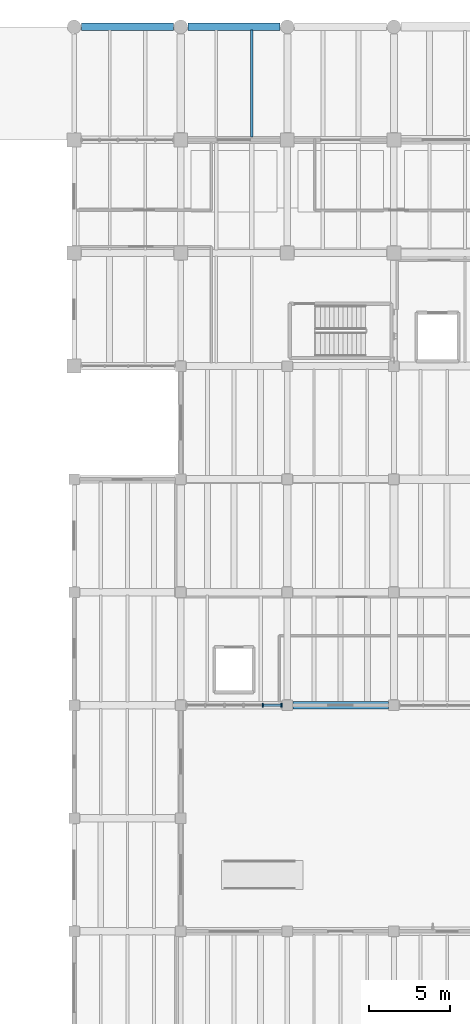
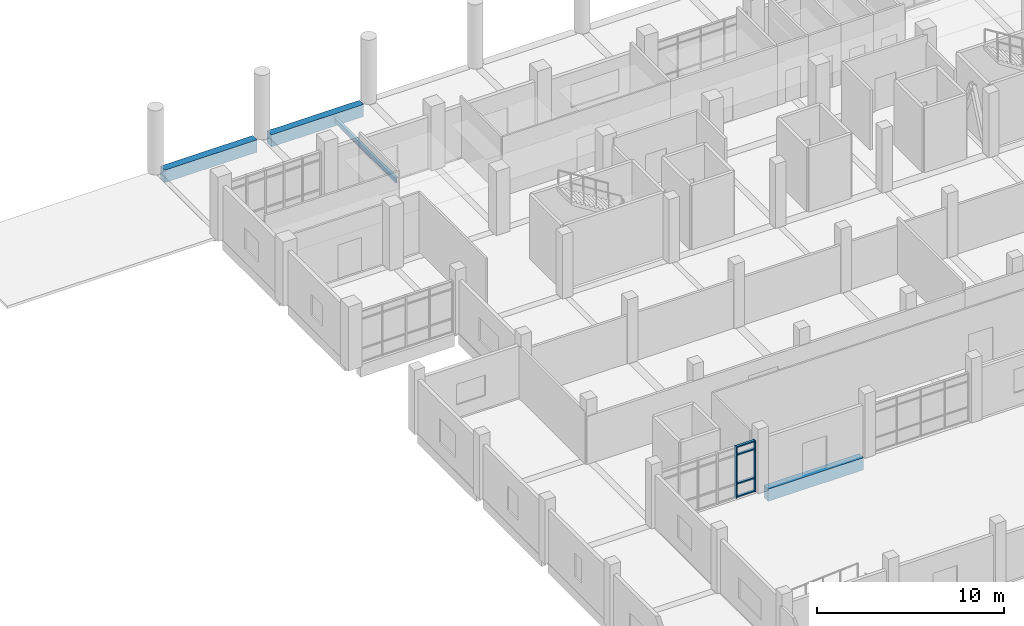
# One storey, part 23 of 69: 6 members, 4 beams, 1 element without a shape of its own.
"""IFC4 building model written with IfcOpenShell, lengths in metres."""

from ifc_helpers import new_model, si_unit, direction, frame, origin, origin_2d, place, context, subcontext, project, spatial, rectangle, i_section, extrude, material, material_profile, profile_set, type_object, element, aggregate, save


model = new_model("IFC4")

# Units and contexts
model_context = context("Model", 3, precision=1e-05, world=origin(), true_north=direction((0.0, 1.0)))
body_context = subcontext(model_context, "Body", "Model", "MODEL_VIEW")
ifc_project = project(units=[si_unit("LENGTHUNIT", "METRE"), si_unit("AREAUNIT", "SQUARE_METRE"), si_unit("VOLUMEUNIT", "CUBIC_METRE"), si_unit("PLANEANGLEUNIT", "RADIAN"), si_unit("MASSUNIT", "GRAM", prefix="KILO")], contexts=[model_context])

# Site, building, storey
site_placement = place(None, origin())
site = spatial("IfcSite", under=ifc_project, at=site_placement, CompositionType="ELEMENT")
building_placement = place(site_placement, origin())
building = spatial("IfcBuilding", under=site, at=building_placement, Name="Ciguamira Faculty of Natural Sciences", CompositionType="ELEMENT")
storey_placement = place(building_placement, origin())
storey = spatial("IfcBuildingStorey", under=building, at=storey_placement, Name="L00", CompositionType="ELEMENT", Elevation=0.0)

# Curtain wall, members
ifc_material_1 = material(Name="Anodized aluminium curtain wall", Category="aluminium")
curtain_wall_type = type_object("IfcCurtainWallType", Name="CurtainWall_CW-12", PredefinedType="USERDEFINED", material=ifc_material_1)
curtain_wall_placement = place(storey_placement, origin())
curtain_wall = element("IfcCurtainWall", 1, at=curtain_wall_placement, inside=storey, type_object=curtain_wall_type, Name="L00 unitised curtain wall 0012", ObjectType="UNITISED CURTAIN WALL", PredefinedType="USERDEFINED")
ifc_material_2 = material(Name="Anodized aluminium mullion", Category="aluminium")
ifc_material_profile_1 = material_profile(ifc_material_2, rectangle(XDim=0.080078125, YDim=0.219970703125, at=origin_2d()), Name="ALU-MUL-80X220")
ifc_profile_set_1 = profile_set([ifc_material_profile_1], Name="Anodized aluminium mullion")
member_type_1 = type_object("IfcMemberType", Name="CWMullion_CWM-03", PredefinedType="MULLION", material=ifc_profile_set_1)
member_1_placement = place(storey_placement, frame((68.985107421875, 73.0, 0.0), z_axis=(0.0, 0.0, 1.0), x_axis=(1.0, 0.0, 0.0)))
member_1 = element("IfcMember", 2, at=member_1_placement, type_object=member_type_1, Name="CW-12 mullion 5", PredefinedType="MULLION", context=body_context, shape_type="SweptSolid", body=[
    extrude(rectangle(XDim=0.080078125, YDim=0.219970703125, at=origin_2d()), origin(), (0.0, 0.0, 1.0), 3.344970703125),
])
member_2_placement = place(storey_placement, frame((70.135009765625, 73.0, 0.0), z_axis=(0.0, 0.0, 1.0), x_axis=(1.0, 0.0, 0.0)))
member_2 = element("IfcMember", 3, at=member_2_placement, type_object=member_type_1, Name="CW-12 mullion 6", PredefinedType="MULLION", context=body_context, shape_type="SweptSolid", body=[
    extrude(rectangle(XDim=0.080078125, YDim=0.219970703125, at=origin_2d()), origin(), (0.0, 0.0, 1.0), 3.344970703125),
])
ifc_material_3 = material(Name="Anodized aluminium transom", Category="aluminium")
ifc_material_profile_2 = material_profile(ifc_material_3, rectangle(XDim=0.080078125, YDim=0.159912109375, at=origin_2d()), Name="ALU-TRN-80X160")
ifc_profile_set_2 = profile_set([ifc_material_profile_2], Name="Anodized aluminium transom")
member_type_2 = type_object("IfcMemberType", Name="CWTransom_CWT-03", PredefinedType="USERDEFINED", material=ifc_profile_set_2)
member_3_placement = place(storey_placement, frame((69.02490234375, 73.0, 0.0400390625), z_axis=(1.0, 0.0, 0.0), x_axis=(0.0, 0.0, 1.0)))
member_3 = element("IfcMember", 4, at=member_3_placement, type_object=member_type_2, Name="CW-12 transom 5.1", ObjectType="TRANSOM", PredefinedType="USERDEFINED", context=body_context, shape_type="SweptSolid", body=[
    extrude(rectangle(XDim=0.080078125, YDim=0.159912109375, at=origin_2d()), origin(), (0.0, 0.0, 1.0), 1.070068359375),
])
member_4_placement = place(storey_placement, frame((69.02490234375, 73.0, 0.89990234375), z_axis=(1.0, 0.0, 0.0), x_axis=(0.0, 0.0, 1.0)))
member_4 = element("IfcMember", 5, at=member_4_placement, type_object=member_type_2, Name="CW-12 transom 5.2", ObjectType="TRANSOM", PredefinedType="USERDEFINED", context=body_context, shape_type="SweptSolid", body=[
    extrude(rectangle(XDim=0.080078125, YDim=0.159912109375, at=origin_2d()), origin(), (0.0, 0.0, 1.0), 1.070068359375),
])
member_5_placement = place(storey_placement, frame((69.02490234375, 73.0, 2.794921875), z_axis=(1.0, 0.0, 0.0), x_axis=(0.0, 0.0, 1.0)))
member_5 = element("IfcMember", 6, at=member_5_placement, type_object=member_type_2, Name="CW-12 transom 5.3", ObjectType="TRANSOM", PredefinedType="USERDEFINED", context=body_context, shape_type="SweptSolid", body=[
    extrude(rectangle(XDim=0.080078125, YDim=0.159912109375, at=origin_2d()), origin(), (0.0, 0.0, 1.0), 1.070068359375),
])
member_6_placement = place(storey_placement, frame((69.02490234375, 73.0, 3.304931640625), z_axis=(1.0, 0.0, 0.0), x_axis=(0.0, 0.0, 1.0)))
member_6 = element("IfcMember", 7, at=member_6_placement, type_object=member_type_2, Name="CW-12 transom 5.4", ObjectType="TRANSOM", PredefinedType="USERDEFINED", context=body_context, shape_type="SweptSolid", body=[
    extrude(rectangle(XDim=0.080078125, YDim=0.159912109375, at=origin_2d()), origin(), (0.0, 0.0, 1.0), 1.070068359375),
])
aggregate(curtain_wall, [member_1, member_2, member_3, member_4, member_5, member_6])

# Beams
ifc_material_4 = material(Name="Concrete C40/50", Category="concrete")
ifc_material_profile_3 = material_profile(ifc_material_4, rectangle(XDim=0.4599609375, YDim=0.820068359375, at=origin_2d()), Name="RC-BM-460X820")
ifc_profile_set_3 = profile_set([ifc_material_profile_3], Name="Concrete C40/50")
beam_type_1 = type_object("IfcBeamType", Name="RCBeam_BG-04_RC-BM-460X820", PredefinedType="BEAM", material=ifc_profile_set_3)
beam_1_placement = place(storey_placement, frame((57.75, 115.0, -0.409912109375), z_axis=(1.0, 0.0, 0.0), x_axis=(0.0, 1.0, 0.0)))
element("IfcBeam", 8, at=beam_1_placement, inside=storey, type_object=beam_type_1, Name="L00 RC girder EW-0183", PredefinedType="BEAM", context=body_context, shape_type="SweptSolid", body=[
    extrude(rectangle(XDim=0.4599609375, YDim=0.820068359375, at=origin_2d()), origin(), (0.0, 0.0, 1.0), 5.699951171875),
])
ifc_material_profile_4 = material_profile(ifc_material_4, rectangle(XDim=0.449951171875, YDim=0.800048828125, at=origin_2d()), Name="RC-BM-450X800")
ifc_profile_set_4 = profile_set([ifc_material_profile_4], Name="Concrete C40/50")
beam_type_2 = type_object("IfcBeamType", Name="RCBeam_BG-05_RC-BM-450X800", PredefinedType="BEAM", material=ifc_profile_set_4)
beam_2_placement = place(storey_placement, frame((70.85009765625, 73.0, -0.39990234375), z_axis=(1.0, 0.0, 0.0), x_axis=(0.0, 1.0, 0.0)))
element("IfcBeam", 9, at=beam_2_placement, inside=storey, type_object=beam_type_2, Name="L00 RC girder EW-0131", PredefinedType="BEAM", context=body_context, shape_type="SweptSolid", body=[
    extrude(rectangle(XDim=0.449951171875, YDim=0.800048828125, at=origin_2d()), origin(), (0.0, 0.0, 1.0), 5.89990234375),
])
beam_3_placement = place(storey_placement, frame((64.35009765625, 115.0, -0.39990234375), z_axis=(1.0, 0.0, 0.0), x_axis=(0.0, 1.0, 0.0)))
element("IfcBeam", 10, at=beam_3_placement, inside=storey, type_object=beam_type_2, Name="L00 RC girder EW-0184", PredefinedType="BEAM", context=body_context, shape_type="SweptSolid", body=[
    extrude(rectangle(XDim=0.449951171875, YDim=0.800048828125, at=origin_2d()), origin(), (0.0, 0.0, 1.0), 5.699951171875),
])
ifc_material_5 = material(Name="Steel ASTM A992 Grade 50", Category="steel")
ifc_material_profile_5 = material_profile(ifc_material_5, i_section(OverallWidth=0.16650390625, OverallDepth=0.3173828125, WebThickness=0.007568359375, FlangeThickness=0.01318359375, at=origin_2d()), Name="W12X35")
ifc_profile_set_5 = profile_set([ifc_material_profile_5], Name="Steel ASTM A992 Grade 50")
beam_type_3 = type_object("IfcBeamType", Name="SteelJoist_SJ-05_W12X35", PredefinedType="JOIST", material=ifc_profile_set_5)
beam_4_placement = place(storey_placement, frame((68.300048828125, 108.18505859375, -0.35888671875), z_axis=(0.0, 1.0, 0.0), x_axis=(-1.0, 0.0, 0.0)))
element("IfcBeam", 11, at=beam_4_placement, inside=storey, type_object=beam_type_3, Name="L00 composite steel joist 00120", PredefinedType="JOIST", context=body_context, shape_type="SweptSolid", body=[
    extrude(i_section(OverallWidth=0.16650390625, OverallDepth=0.3173828125, WebThickness=0.007568359375, FlangeThickness=0.01318359375, at=origin_2d()), origin(), (0.0, 0.0, 1.0), 6.6298828125),
])

save(model, "model.ifc")
